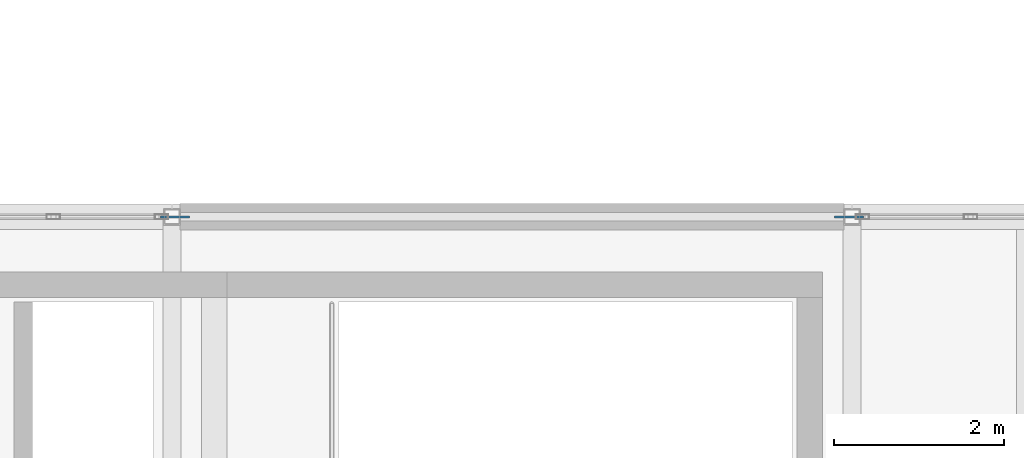
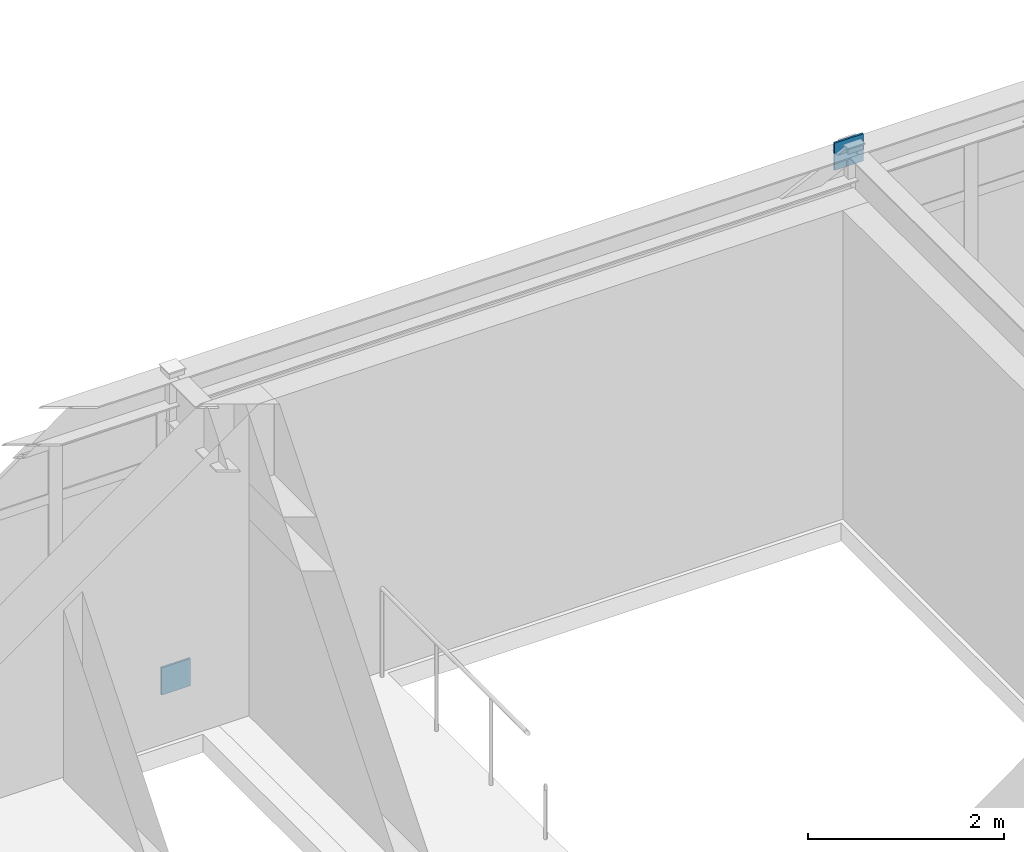
# One storey, part 59 of 65: 2 discrete accessories.
"""IFC4 building model written with IfcOpenShell, lengths in metres."""

from ifc_helpers import new_model, si_unit, direction, frame, origin, origin_2d, place, context, subcontext, project, spatial, rectangle, extrude, material, type_object, element, save


model = new_model("IFC4")

# Units and contexts
model_context = context("Model", 3, precision=1e-05, world=origin(), true_north=direction((0.0, 1.0)))
body_context = subcontext(model_context, "Body", "Model", "MODEL_VIEW")
ifc_project = project(units=[si_unit("LENGTHUNIT", "METRE"), si_unit("AREAUNIT", "SQUARE_METRE"), si_unit("VOLUMEUNIT", "CUBIC_METRE"), si_unit("PLANEANGLEUNIT", "RADIAN"), si_unit("MASSUNIT", "GRAM", prefix="KILO")], contexts=[model_context])

# Site, building, storey
site_placement = place(None, origin())
site = spatial("IfcSite", under=ifc_project, at=site_placement, CompositionType="ELEMENT")
building_placement = place(site_placement, origin())
building = spatial("IfcBuilding", under=site, at=building_placement, Name="Montecoro Central Library", CompositionType="ELEMENT")
storey_placement = place(building_placement, frame((0.0, 0.0, 17.340087890625)))
storey = spatial("IfcBuildingStorey", under=building, at=storey_placement, Name="L04", CompositionType="ELEMENT", Elevation=17.340087890625)

# Discrete accessories
ifc_material = material(Name="Steel S355", Category="steel")
discrete_accessory_type = type_object("IfcDiscreteAccessoryType", Name="GUSSET-PLT-01", PredefinedType="BRACKET", material=ifc_material)
for number, where, z_axis, x_axis, name in (
    (1, (157.035888671875, 43.0, -0.14306640625), (0.0, 0.0, 1.0), (1.0, 0.0, 0.0), "V6-L04-BRN1-GPA"),
    (2, (164.964111328125, 43.0, 3.61767578125), (0.0, 0.0, 1.0), (1.0, 0.0, 0.0), "V6-L04-BRN1-GPB"),
):
    element("IfcDiscreteAccessory", number, at=place(storey_placement, frame(where, z_axis=z_axis, x_axis=x_axis)), inside=storey, type_object=discrete_accessory_type, Name=name, PredefinedType="BRACKET", context=body_context, shape_type="SweptSolid", body=[
        extrude(rectangle(XDim=0.340087890625, YDim=0.02392578125, at=origin_2d()), origin(), (0.0, 0.0, 1.0), 0.340087890625),
    ])

save(model, "model.ifc")
